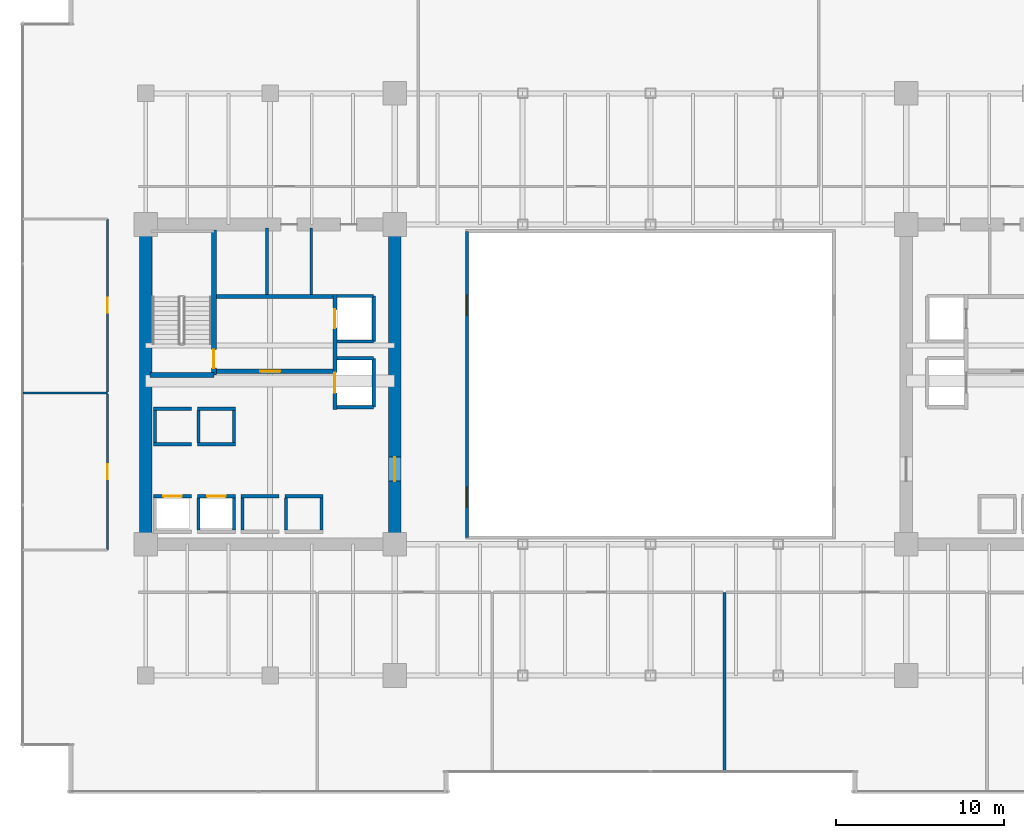
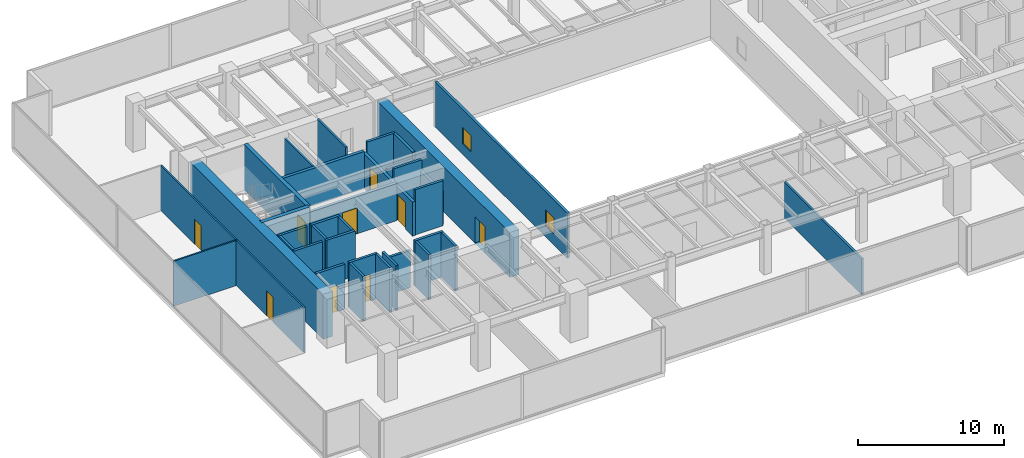
# One storey, part 29 of 35: 36 walls, 9 doors, 2 windows, 11 openings.
"""IFC4 building model written with IfcOpenShell, lengths in metres."""

from ifc_helpers import new_model, si_unit, direction, frame, frame_2d, origin, place, context, subcontext, project, spatial, rectangle, extrude, source, transform, mapped, material, layer, layer_set, type_object, type_shapes, element, fill, save


model = new_model("IFC4")

# Units and contexts
model_context = context("Model", 3, precision=1e-05, world=origin(), true_north=direction((0.0, 1.0)))
body_context = subcontext(model_context, "Body", "Model", "MODEL_VIEW")
ifc_project = project(units=[si_unit("LENGTHUNIT", "METRE"), si_unit("AREAUNIT", "SQUARE_METRE"), si_unit("VOLUMEUNIT", "CUBIC_METRE"), si_unit("PLANEANGLEUNIT", "RADIAN"), si_unit("MASSUNIT", "GRAM", prefix="KILO")], contexts=[model_context])

# Site, building, storey
site_placement = place(None, origin())
site = spatial("IfcSite", under=ifc_project, at=site_placement, CompositionType="ELEMENT")
building_placement = place(site_placement, origin())
building = spatial("IfcBuilding", under=site, at=building_placement, Name="Haelvirn Gate Laboratories", CompositionType="ELEMENT")
storey_placement = place(building_placement, frame((0.0, 0.0, 86.699951171875)))
storey = spatial("IfcBuildingStorey", under=building, at=storey_placement, Name="L21", CompositionType="ELEMENT", Elevation=86.699951171875)

# Wall
ifc_material_1 = material(Name="Double-layer acoustic gypsum laboratory partition", Category="gypsum")
ifc_layer_1 = layer(ifc_material_1, 0.159912109375, Name="IW-ACOUST-160")
ifc_layer_set_1 = layer_set([ifc_layer_1], Name="Double-layer acoustic gypsum laboratory partition")
wall_type_1 = type_object("IfcWallType", Name="IW-ACOUST-160", PredefinedType="PARTITIONING", material=ifc_layer_set_1)
wall_1_placement = place(storey_placement, frame((41.800048828125, 1.31005859375, 0.0), z_axis=(0.0, 0.0, 1.0), x_axis=(0.0, 1.0, 0.0)))
element("IfcWall", 1, at=wall_1_placement, inside=storey, type_object=wall_type_1, Name="L21 Interior Wall IW-L21-SDIV-03", PredefinedType="PARTITIONING", context=body_context, shape_type="SweptSolid", body=[
    extrude(rectangle(XDim=10.6298828125, YDim=0.159912109375, at=frame_2d((5.31494140625, 0.0))), origin(), (0.0, 0.0, 1.0), 3.01513671875),
])

# Wall, openings, windows
ifc_material_2 = material(Name="Tempered fire-rated borosilicate glass & anodised aluminium", Category="aluminium")
ifc_layer_2 = layer(ifc_material_2, 0.195068359375, Name="IW-GLAZ-200")
ifc_layer_set_2 = layer_set([ifc_layer_2], Name="Tempered fire-rated borosilicate glass & anodised aluminium")
wall_type_2 = type_object("IfcWallType", Name="IW-GLAZ-200", PredefinedType="SOLIDWALL", material=ifc_layer_set_2)
wall_2_placement = place(storey_placement, frame((26.5, 15.199951171875, 0.0), z_axis=(0.0, 0.0, 1.0), x_axis=(0.0, 1.0, 0.0)))
wall_2 = element("IfcWall", 2, at=wall_2_placement, inside=storey, type_object=wall_type_2, Name="L21 Interior Wall IW-L21-ATRIUM-W", PredefinedType="SOLIDWALL", context=body_context, shape_type="SweptSolid", body=[
    extrude(rectangle(XDim=18.199951171875, YDim=0.195068359375, at=frame_2d((9.10009765625, 0.0))), origin(), (0.0, 0.0, 1.0), 3.780029296875),
])
opening_1_placement = place(wall_2_placement, frame((1.800048828125, 0.0, 0.89990234375)))
opening_1 = element("IfcOpeningElement", 3, at=opening_1_placement, cuts=wall_2, Name="Opening W6", PredefinedType="OPENING", context=body_context, shape_type="SweptSolid", body=[
    extrude(rectangle(XDim=1.199951171875, YDim=1.35009765625, at=frame_2d((0.60009765625, 0.675048828125))), frame((0.0, 0.107421875, 0.0), z_axis=(0.0, -1.0, 0.0), x_axis=(1.0, 0.0, 0.0)), (0.0, 0.0, 1.0), 0.215087890625),
])
opening_2_placement = place(wall_2_placement, frame((13.199951171875, 0.0, 0.89990234375)))
opening_2 = element("IfcOpeningElement", 4, at=opening_2_placement, cuts=wall_2, Name="Opening W6", PredefinedType="OPENING", context=body_context, shape_type="SweptSolid", body=[
    extrude(rectangle(XDim=1.199951171875, YDim=1.35009765625, at=frame_2d((0.60009765625, 0.675048828125))), frame((0.0, 0.107421875, 0.0), z_axis=(0.0, -1.0, 0.0), x_axis=(1.0, 0.0, 0.0)), (0.0, 0.0, 1.0), 0.215087890625),
])
ifc_material_3 = material(Name="Fire-rated EI 120 borosilicate atrium vision glazing", Category="glass")
window_type = type_object("IfcWindowType", Name="WN-ATR-1200", PartitioningType="SINGLE_PANEL", PredefinedType="WINDOW", material=ifc_material_3)
shared_shape_1 = source(origin(), body_context, "Body", "SweptSolid", [
    extrude(rectangle(XDim=1.199951171875, YDim=1.35009765625, at=frame_2d((0.60009765625, 0.675048828125))), frame((0.0, 0.030029296875, 0.0), z_axis=(0.0, -1.0, 0.0), x_axis=(1.0, 0.0, 0.0)), (0.0, 0.0, 1.0), 0.06005859375),
])
type_shapes(window_type, [shared_shape_1])
window_1_placement = place(opening_1_placement, origin())
window_1 = element("IfcWindow", 5, at=window_1_placement, inside=storey, type_object=window_type, Name="L21 Atrium Observation Window 1", OverallHeight=1.35009765625, OverallWidth=1.199951171875, PartitioningType="SINGLE_PANEL", PredefinedType="WINDOW", context=body_context, shape_type="MappedRepresentation", body=[
    mapped(shared_shape_1, transform((0.0, 0.0, 0.0), scale=1.0)),
])
fill(opening_1, window_1)
window_2_placement = place(opening_2_placement, origin())
window_2 = element("IfcWindow", 6, at=window_2_placement, inside=storey, type_object=window_type, Name="L21 Atrium Observation Window 2", OverallHeight=1.35009765625, OverallWidth=1.199951171875, PartitioningType="SINGLE_PANEL", PredefinedType="WINDOW", context=body_context, shape_type="MappedRepresentation", body=[
    mapped(shared_shape_1, transform((0.0, 0.0, 0.0), scale=1.0)),
])
fill(opening_2, window_2)

# Wall, opening, door
ifc_material_4 = material(Name="Lightweight acoustic gypsum board partition", Category="gypsum")
ifc_layer_3 = layer(ifc_material_4, 0.1201171875, Name="IW-PART-120")
ifc_layer_set_3 = layer_set([ifc_layer_3], Name="Lightweight acoustic gypsum board partition")
wall_type_3 = type_object("IfcWallType", Name="IW-PART-120", PredefinedType="PARTITIONING", material=ifc_layer_set_3)
wall_3_placement = place(storey_placement, frame((5.1298828125, 14.465087890625, 0.0), z_axis=(0.0, 0.0, 1.0), x_axis=(0.0, 1.0, 0.0)))
wall_3 = element("IfcWall", 7, at=wall_3_placement, inside=storey, type_object=wall_type_3, Name="L21 Interior Wall IW-L21-WPASS-01", PredefinedType="PARTITIONING", context=body_context, shape_type="SweptSolid", body=[
    extrude(rectangle(XDim=9.27490234375, YDim=0.1201171875, at=frame_2d((4.637451171875, 0.0))), origin(), (0.0, 0.0, 1.0), 3.780029296875),
])
opening_3_placement = place(wall_3_placement, frame((4.1875, 0.0, 0.0)))
opening_3 = element("IfcOpeningElement", 8, at=opening_3_placement, cuts=wall_3, Name="Opening D4", PredefinedType="OPENING", context=body_context, shape_type="SweptSolid", body=[
    extrude(rectangle(XDim=0.89990234375, YDim=2.10009765625, at=frame_2d((0.449951171875, 1.050048828125))), frame((0.0, 0.070068359375, 0.0), z_axis=(0.0, -1.0, 0.0), x_axis=(1.0, 0.0, 0.0)), (0.0, 0.0, 1.0), 0.14013671875),
])
ifc_material_5 = material(Name="Glazed aluminium-framed write-up door", Category="aluminium")
door_type_1 = type_object("IfcDoorType", Name="DR-OFF-900", OperationType="NOTDEFINED", PredefinedType="DOOR", material=ifc_material_5)
shared_shape_2 = source(origin(), body_context, "Body", "SweptSolid", [
    extrude(rectangle(XDim=0.89990234375, YDim=2.10009765625, at=frame_2d((0.449951171875, 1.050048828125))), frame((0.0, 0.02490234375, 0.0), z_axis=(0.0, -1.0, 0.0), x_axis=(1.0, 0.0, 0.0)), (0.0, 0.0, 1.0), 0.050048828125),
])
type_shapes(door_type_1, [shared_shape_2])
door_1_placement = place(opening_3_placement, origin())
door_1 = element("IfcDoor", 9, at=door_1_placement, inside=storey, type_object=door_type_1, Name="L21 Proteomics Mass-Spec Laboratory Door W1", OperationType="SINGLE_SWING_LEFT", OverallHeight=2.10009765625, OverallWidth=0.89990234375, PredefinedType="DOOR", context=body_context, shape_type="MappedRepresentation", body=[
    mapped(shared_shape_2, transform((0.0, 0.0, 0.0), scale=1.0)),
])
fill(opening_3, door_1)

# Wall
wall_4_placement = place(storey_placement, frame((0.110107421875, 23.800048828125, 0.0), z_axis=(0.0, 0.0, 1.0), x_axis=(1.0, 0.0, 0.0)))
element("IfcWall", 10, at=wall_4_placement, inside=storey, type_object=wall_type_3, Name="L21 Interior Wall IW-L21-WDIV-01", PredefinedType="PARTITIONING", context=body_context, shape_type="SweptSolid", body=[
    extrude(rectangle(XDim=5.019775390625, YDim=0.1201171875, at=frame_2d((2.509765625, 0.0))), origin(), (0.0, 0.0, 1.0), 3.780029296875),
])

# Wall, opening, door
wall_5_placement = place(storey_placement, frame((5.1298828125, 23.860107421875, 0.0), z_axis=(0.0, 0.0, 1.0), x_axis=(0.0, 1.0, 0.0)))
wall_5 = element("IfcWall", 11, at=wall_5_placement, inside=storey, type_object=wall_type_3, Name="L21 Interior Wall IW-L21-WPASS-02", PredefinedType="PARTITIONING", context=body_context, shape_type="SweptSolid", body=[
    extrude(rectangle(XDim=10.27490234375, YDim=0.1201171875, at=frame_2d((5.137451171875, 0.0))), origin(), (0.0, 0.0, 1.0), 3.780029296875),
])
opening_4_placement = place(wall_5_placement, frame((4.6875, 0.0, 0.0)))
opening_4 = element("IfcOpeningElement", 12, at=opening_4_placement, cuts=wall_5, Name="Opening D4", PredefinedType="OPENING", context=body_context, shape_type="SweptSolid", body=[
    extrude(rectangle(XDim=0.89990234375, YDim=2.10009765625, at=frame_2d((0.449951171875, 1.050048828125))), frame((0.0, 0.070068359375, 0.0), z_axis=(0.0, -1.0, 0.0), x_axis=(1.0, 0.0, 0.0)), (0.0, 0.0, 1.0), 0.14013671875),
])
door_2_placement = place(opening_4_placement, origin())
door_2 = element("IfcDoor", 13, at=door_2_placement, inside=storey, type_object=door_type_1, Name="L21 Chemical Synthesis Laboratory Door W2", OperationType="SINGLE_SWING_RIGHT", OverallHeight=2.10009765625, OverallWidth=0.89990234375, PredefinedType="DOOR", context=body_context, shape_type="MappedRepresentation", body=[
    mapped(shared_shape_2, transform((0.0, 0.0, 0.0), scale=1.0)),
])
fill(opening_4, door_2)

# Walls
ifc_material_6 = material(Name="Cement-board restroom plumbing chase wall", Category="gypsum")
ifc_layer_4 = layer(ifc_material_6, 0.155029296875, Name="IW-PLUMB-160")
ifc_layer_set_4 = layer_set([ifc_layer_4], Name="Cement-board restroom plumbing chase wall")
wall_type_4 = type_object("IfcWallType", Name="IW-PLUMB-160", PredefinedType="PLUMBINGWALL", material=ifc_layer_set_4)
wall_6_placement = place(storey_placement, frame((14.610107421875, 29.64990234375, 0.0), z_axis=(0.0, 0.0, 1.0), x_axis=(0.0, 1.0, 0.0)))
element("IfcWall", 14, at=wall_6_placement, inside=storey, type_object=wall_type_4, Name="L21 Interior Wall IW-L21-W-CDIV-0", PredefinedType="PLUMBINGWALL", context=body_context, shape_type="SweptSolid", body=[
    extrude(rectangle(XDim=3.93017578125, YDim=0.155029296875, at=frame_2d((1.965087890625, 0.0))), origin(), (0.0, 0.0, 1.0), 3.114990234375),
])
wall_7_placement = place(storey_placement, frame((17.239990234375, 29.64990234375, 0.0), z_axis=(0.0, 0.0, 1.0), x_axis=(0.0, 1.0, 0.0)))
element("IfcWall", 15, at=wall_7_placement, inside=storey, type_object=wall_type_4, Name="L21 Interior Wall IW-L21-W-CDIV-1", PredefinedType="PLUMBINGWALL", context=body_context, shape_type="SweptSolid", body=[
    extrude(rectangle(XDim=3.93017578125, YDim=0.155029296875, at=frame_2d((1.965087890625, 0.0))), origin(), (0.0, 0.0, 1.0), 3.780029296875),
])
ifc_material_7 = material(Name="Concrete C40/50", Category="concrete")
ifc_layer_5 = layer(ifc_material_7, 0.179931640625, Name="IW-SHAFT-180")
ifc_layer_set_5 = layer_set([ifc_layer_5], Name="Concrete C40/50")
wall_type_5 = type_object("IfcWallType", Name="IW-SHAFT-180", PredefinedType="SOLIDWALL", material=ifc_layer_set_5)
for number, where, z_axis, x_axis, name in (
    (16, (10.550048828125, 15.64990234375, 0.0), (0.0, 0.0, 1.0), (0.0, 1.0, 0.0), "L21 Interior Wall IW-L21-PL2-SD"),
    (17, (12.64990234375, 15.64990234375, 0.0), (0.0, 0.0, 1.0), (0.0, 1.0, 0.0), "L21 Interior Wall IW-L21-PL2-SDE"),
    (18, (13.14990234375, 15.64990234375, 0.0), (0.0, 0.0, 1.0), (0.0, 1.0, 0.0), "L21 Interior Wall IW-L21-PL5-SD"),
    (19, (15.75, 15.64990234375, 0.0), (0.0, 0.0, 1.0), (0.0, 1.0, 0.0), "L21 Interior Wall IW-L21-PL6-SD"),
    (20, (17.85009765625, 15.64990234375, 0.0), (0.0, 0.0, 1.0), (0.0, 1.0, 0.0), "L21 Interior Wall IW-L21-PL6-SDE"),
):
    element("IfcWall", number, at=place(storey_placement, frame(where, z_axis=z_axis, x_axis=x_axis)), inside=storey, type_object=wall_type_5, Name=name, PredefinedType="SOLIDWALL", context=body_context, shape_type="SweptSolid", body=[
        extrude(rectangle(XDim=1.900146484375, YDim=0.179931640625, at=frame_2d((0.9501953125, 0.0))), origin(), (0.0, 0.0, 1.0), 3.780029296875),
    ])
for number, where, z_axis, x_axis, name in (
    (21, (7.949951171875, 20.85009765625, 0.0), (0.0, 0.0, 1.0), (0.0, 1.0, 0.0), "L21 Interior Wall IW-L21-PL9-SD"),
    (22, (10.550048828125, 20.85009765625, 0.0), (0.0, 0.0, 1.0), (0.0, 1.0, 0.0), "L21 Interior Wall IW-L21-PL10-SD"),
    (23, (12.64990234375, 20.85009765625, 0.0), (0.0, 0.0, 1.0), (0.0, 1.0, 0.0), "L21 Interior Wall IW-L21-PL10-SDE"),
):
    element("IfcWall", number, at=place(storey_placement, frame(where, z_axis=z_axis, x_axis=x_axis)), inside=storey, type_object=wall_type_5, Name=name, PredefinedType="SOLIDWALL", context=body_context, shape_type="SweptSolid", body=[
        extrude(rectangle(XDim=1.89990234375, YDim=0.179931640625, at=frame_2d((0.949951171875, 0.0))), origin(), (0.0, 0.0, 1.0), 3.780029296875),
    ])

# Wall, opening, door
ifc_layer_6 = layer(ifc_material_7, 0.199951171875, Name="IW-SHAFT-200")
ifc_layer_set_6 = layer_set([ifc_layer_6], Name="Concrete C40/50")
wall_type_6 = type_object("IfcWallType", Name="IW-SHAFT-200", PredefinedType="SOLIDWALL", material=ifc_layer_set_6)
wall_8_placement = place(storey_placement, frame((7.8701171875, 17.64990234375, 0.0), z_axis=(0.0, 0.0, 1.0), x_axis=(1.0, 0.0, 0.0)))
wall_8 = element("IfcWall", 24, at=wall_8_placement, inside=storey, type_object=wall_type_6, Name="L21 Interior Wall IW-L21-PL1-FR", PredefinedType="SOLIDWALL", context=body_context, shape_type="SweptSolid", body=[
    extrude(rectangle(XDim=2.259765625, YDim=0.199951171875, at=frame_2d((1.1298828125, 0.0))), origin(), (0.0, 0.0, 1.0), 3.780029296875),
])
opening_5_placement = place(wall_8_placement, frame((0.580078125, 0.0, 0.0)))
opening_5 = element("IfcOpeningElement", 25, at=opening_5_placement, cuts=wall_8, Name="Opening LD2", PredefinedType="OPENING", context=body_context, shape_type="SweptSolid", body=[
    extrude(rectangle(XDim=1.10009765625, YDim=2.219970703125, at=frame_2d((0.550048828125, 1.10986328125))), frame((0.0, 0.10986328125, 0.0), z_axis=(0.0, -1.0, 0.0), x_axis=(1.0, 0.0, 0.0)), (0.0, 0.0, 1.0), 0.219970703125),
])
ifc_material_8 = material(Name="Bronze stainless 316L sliding lift landing door")
door_type_2 = type_object("IfcDoorType", Name="DR-LD-1100", OperationType="NOTDEFINED", PredefinedType="USERDEFINED", material=ifc_material_8)
shared_shape_3 = source(origin(), body_context, "Body", "SweptSolid", [
    extrude(rectangle(XDim=1.10009765625, YDim=2.219970703125, at=frame_2d((0.550048828125, 1.10986328125))), frame((0.0, 0.02490234375, 0.0), z_axis=(0.0, -1.0, 0.0), x_axis=(1.0, 0.0, 0.0)), (0.0, 0.0, 1.0), 0.050048828125),
])
type_shapes(door_type_2, [shared_shape_3])
door_3_placement = place(opening_5_placement, origin())
door_3 = element("IfcDoor", 26, at=door_3_placement, inside=storey, type_object=door_type_2, Name="L21 Passenger Lift PL1 Landing Door", ObjectType="LANDING_DOOR", OperationType="SLIDING_TO_LEFT", OverallHeight=2.219970703125, OverallWidth=1.10009765625, PredefinedType="USERDEFINED", context=body_context, shape_type="MappedRepresentation", body=[
    mapped(shared_shape_3, transform((0.0, 0.0, 0.0), scale=1.0)),
])
fill(opening_5, door_3)

wall_9_placement = place(storey_placement, frame((10.469970703125, 17.64990234375, 0.0), z_axis=(0.0, 0.0, 1.0), x_axis=(1.0, 0.0, 0.0)))
wall_9 = element("IfcWall", 27, at=wall_9_placement, inside=storey, type_object=wall_type_6, Name="L21 Interior Wall IW-L21-PL2-FR", PredefinedType="SOLIDWALL", context=body_context, shape_type="SweptSolid", body=[
    extrude(rectangle(XDim=2.260009765625, YDim=0.199951171875, at=frame_2d((1.1298828125, 0.0))), origin(), (0.0, 0.0, 1.0), 3.780029296875),
])
opening_6_placement = place(wall_9_placement, frame((0.580078125, 0.0, 0.0)))
opening_6 = element("IfcOpeningElement", 28, at=opening_6_placement, cuts=wall_9, Name="Opening LD2", PredefinedType="OPENING", context=body_context, shape_type="SweptSolid", body=[
    extrude(rectangle(XDim=1.10009765625, YDim=2.219970703125, at=frame_2d((0.550048828125, 1.10986328125))), frame((0.0, 0.10986328125, 0.0), z_axis=(0.0, -1.0, 0.0), x_axis=(1.0, 0.0, 0.0)), (0.0, 0.0, 1.0), 0.219970703125),
])
door_4_placement = place(opening_6_placement, origin())
door_4 = element("IfcDoor", 29, at=door_4_placement, inside=storey, type_object=door_type_2, Name="L21 Passenger Lift PL2 Landing Door", ObjectType="LANDING_DOOR", OperationType="SLIDING_TO_RIGHT", OverallHeight=2.219970703125, OverallWidth=1.10009765625, PredefinedType="USERDEFINED", context=body_context, shape_type="MappedRepresentation", body=[
    mapped(shared_shape_3, transform((0.0, 0.0, 0.0), scale=1.0)),
])
fill(opening_6, door_4)

# Walls
wall_10_placement = place(storey_placement, frame((13.070068359375, 17.64990234375, 0.0), z_axis=(0.0, 0.0, 1.0), x_axis=(1.0, 0.0, 0.0)))
element("IfcWall", 30, at=wall_10_placement, inside=storey, type_object=wall_type_6, Name="L21 Interior Wall IW-L21-PL5-FR", PredefinedType="SOLIDWALL", context=body_context, shape_type="SweptSolid", body=[
    extrude(rectangle(XDim=2.260009765625, YDim=0.199951171875, at=frame_2d((1.1298828125, 0.0))), origin(), (0.0, 0.0, 1.0), 3.114990234375),
])
wall_11_placement = place(storey_placement, frame((15.669921875, 17.64990234375, 0.0), z_axis=(0.0, 0.0, 1.0), x_axis=(1.0, 0.0, 0.0)))
element("IfcWall", 31, at=wall_11_placement, inside=storey, type_object=wall_type_6, Name="L21 Interior Wall IW-L21-PL6-FR", PredefinedType="SOLIDWALL", context=body_context, shape_type="SweptSolid", body=[
    extrude(rectangle(XDim=2.260009765625, YDim=0.199951171875, at=frame_2d((1.1298828125, 0.0))), origin(), (0.0, 0.0, 1.0), 3.780029296875),
])
for number, where, z_axis, x_axis, name in (
    (32, (7.8701171875, 20.75, 0.0), (0.0, 0.0, 1.0), (1.0, 0.0, 0.0), "L21 Interior Wall IW-L21-PL9-FR"),
    (33, (7.8701171875, 22.85009765625, 0.0), (0.0, 0.0, 1.0), (1.0, 0.0, 0.0), "L21 Interior Wall IW-L21-PL9-BK"),
):
    element("IfcWall", number, at=place(storey_placement, frame(where, z_axis=z_axis, x_axis=x_axis)), inside=storey, type_object=wall_type_6, Name=name, PredefinedType="SOLIDWALL", context=body_context, shape_type="SweptSolid", body=[
        extrude(rectangle(XDim=2.259765625, YDim=0.199951171875, at=frame_2d((1.1298828125, 0.0))), origin(), (0.0, 0.0, 1.0), 3.780029296875),
    ])
for number, where, z_axis, x_axis, name in (
    (34, (10.469970703125, 20.75, 0.0), (0.0, 0.0, 1.0), (1.0, 0.0, 0.0), "L21 Interior Wall IW-L21-PL10-FR"),
    (35, (10.469970703125, 22.85009765625, 0.0), (0.0, 0.0, 1.0), (1.0, 0.0, 0.0), "L21 Interior Wall IW-L21-PL10-BK"),
):
    element("IfcWall", number, at=place(storey_placement, frame(where, z_axis=z_axis, x_axis=x_axis)), inside=storey, type_object=wall_type_6, Name=name, PredefinedType="SOLIDWALL", context=body_context, shape_type="SweptSolid", body=[
        extrude(rectangle(XDim=2.260009765625, YDim=0.199951171875, at=frame_2d((1.1298828125, 0.0))), origin(), (0.0, 0.0, 1.0), 3.780029296875),
    ])
wall_12_placement = place(storey_placement, frame((20.949951171875, 26.85009765625, 0.0), z_axis=(0.0, 0.0, 1.0), x_axis=(0.0, 1.0, 0.0)))
element("IfcWall", 36, at=wall_12_placement, inside=storey, type_object=wall_type_6, Name="L21 Interior Wall IW-L21-FL1-BK", PredefinedType="SOLIDWALL", context=body_context, shape_type="SweptSolid", body=[
    extrude(rectangle(XDim=2.699951171875, YDim=0.199951171875, at=frame_2d((1.35009765625, 0.0))), origin(), (0.0, 0.0, 1.0), 3.780029296875),
])
wall_13_placement = place(storey_placement, frame((18.760009765625, 29.550048828125, 0.0), z_axis=(0.0, 0.0, 1.0), x_axis=(1.0, 0.0, 0.0)))
element("IfcWall", 37, at=wall_13_placement, inside=storey, type_object=wall_type_6, Name="L21 Interior Wall IW-L21-FL1-N", PredefinedType="SOLIDWALL", context=body_context, shape_type="SweptSolid", body=[
    extrude(rectangle(XDim=2.18994140625, YDim=0.199951171875, at=frame_2d((1.094970703125, 0.0))), origin(), (0.0, 0.0, 1.0), 3.780029296875),
])
wall_14_placement = place(storey_placement, frame((18.760009765625, 26.85009765625, 0.0), z_axis=(0.0, 0.0, 1.0), x_axis=(1.0, 0.0, 0.0)))
element("IfcWall", 38, at=wall_14_placement, inside=storey, type_object=wall_type_6, Name="L21 Interior Wall IW-L21-FL1-S", PredefinedType="SOLIDWALL", context=body_context, shape_type="SweptSolid", body=[
    extrude(rectangle(XDim=2.18994140625, YDim=0.199951171875, at=frame_2d((1.094970703125, 0.0))), origin(), (0.0, 0.0, 1.0), 3.177001953125),
])
wall_15_placement = place(storey_placement, frame((20.949951171875, 22.949951171875, 0.0), z_axis=(0.0, 0.0, 1.0), x_axis=(0.0, 1.0, 0.0)))
element("IfcWall", 39, at=wall_15_placement, inside=storey, type_object=wall_type_6, Name="L21 Interior Wall IW-L21-SL1-BK", PredefinedType="SOLIDWALL", context=body_context, shape_type="SweptSolid", body=[
    extrude(rectangle(XDim=2.900146484375, YDim=0.199951171875, at=frame_2d((1.4501953125, 0.0))), origin(), (0.0, 0.0, 1.0), 2.864990234375),
])
for number, where, z_axis, x_axis, name in (
    (40, (18.760009765625, 25.85009765625, 0.0), (0.0, 0.0, 1.0), (1.0, 0.0, 0.0), "L21 Interior Wall IW-L21-SL1-N"),
    (41, (18.760009765625, 22.949951171875, 0.0), (0.0, 0.0, 1.0), (1.0, 0.0, 0.0), "L21 Interior Wall IW-L21-SL1-S"),
):
    element("IfcWall", number, at=place(storey_placement, frame(where, z_axis=z_axis, x_axis=x_axis)), inside=storey, type_object=wall_type_6, Name=name, PredefinedType="SOLIDWALL", context=body_context, shape_type="SweptSolid", body=[
        extrude(rectangle(XDim=2.18994140625, YDim=0.199951171875, at=frame_2d((1.094970703125, 0.0))), origin(), (0.0, 0.0, 1.0), 3.780029296875),
    ])

# Wall, opening, door
ifc_layer_7 = layer(ifc_material_7, 0.239990234375, Name="IW-SHAFT-240")
ifc_layer_set_7 = layer_set([ifc_layer_7], Name="Concrete C40/50")
wall_type_7 = type_object("IfcWallType", Name="IW-SHAFT-240", PredefinedType="SOLIDWALL", material=ifc_layer_set_7)
wall_16_placement = place(storey_placement, frame((11.60009765625, 25.080078125, 0.0), z_axis=(0.0, 0.0, 1.0), x_axis=(1.0, 0.0, 0.0)))
wall_16 = element("IfcWall", 42, at=wall_16_placement, inside=storey, type_object=wall_type_7, Name="L21 Interior Wall IW-L21-W-FF-S", PredefinedType="SOLIDWALL", context=body_context, shape_type="SweptSolid", body=[
    extrude(rectangle(XDim=6.919921875, YDim=0.239990234375, at=frame_2d((3.4599609375, 0.0))), origin(), (0.0, 0.0, 1.0), 3.114990234375),
])
opening_7_placement = place(wall_16_placement, frame((2.60009765625, 0.0, 0.0)))
opening_7 = element("IfcOpeningElement", 43, at=opening_7_placement, cuts=wall_16, Name="Opening FD2", PredefinedType="OPENING", context=body_context, shape_type="SweptSolid", body=[
    extrude(rectangle(XDim=1.199951171875, YDim=2.159912109375, at=frame_2d((0.60009765625, 1.080078125))), frame((0.0, 0.1298828125, 0.0), z_axis=(0.0, -1.0, 0.0), x_axis=(1.0, 0.0, 0.0)), (0.0, 0.0, 1.0), 0.260009765625),
])
ifc_material_9 = material(Name="Fire-rated steel SM355 compartment door", Category="steel")
door_type_3 = type_object("IfcDoorType", Name="DR-FD-1200", OperationType="NOTDEFINED", PredefinedType="DOOR", material=ifc_material_9)
shared_shape_4 = source(origin(), body_context, "Body", "SweptSolid", [
    extrude(rectangle(XDim=1.199951171875, YDim=2.159912109375, at=frame_2d((0.60009765625, 1.080078125))), frame((0.0, 0.02490234375, 0.0), z_axis=(0.0, -1.0, 0.0), x_axis=(1.0, 0.0, 0.0)), (0.0, 0.0, 1.0), 0.050048828125),
])
type_shapes(door_type_3, [shared_shape_4])
door_5_placement = place(opening_7_placement, origin())
door_5 = element("IfcDoor", 44, at=door_5_placement, inside=storey, type_object=door_type_3, Name="L21 West Firefighting Lobby Door", OperationType="SINGLE_SWING_RIGHT", OverallHeight=2.159912109375, OverallWidth=1.199951171875, PredefinedType="DOOR", context=body_context, shape_type="MappedRepresentation", body=[
    mapped(shared_shape_4, transform((0.0, 0.0, 0.0), scale=1.0)),
])
fill(opening_7, door_5)

# Wall
wall_17_placement = place(storey_placement, frame((11.60009765625, 29.52001953125, 0.0), z_axis=(0.0, 0.0, 1.0), x_axis=(1.0, 0.0, 0.0)))
element("IfcWall", 45, at=wall_17_placement, inside=storey, type_object=wall_type_7, Name="L21 Interior Wall IW-L21-W-FF-N", PredefinedType="SOLIDWALL", context=body_context, shape_type="SweptSolid", body=[
    extrude(rectangle(XDim=6.919921875, YDim=0.239990234375, at=frame_2d((3.4599609375, 0.0))), origin(), (0.0, 0.0, 1.0), 3.114990234375),
])

# Wall, openings, doors
wall_18_placement = place(storey_placement, frame((18.639892578125, 22.800048828125, 0.0), z_axis=(0.0, 0.0, 1.0), x_axis=(0.0, 1.0, 0.0)))
wall_18 = element("IfcWall", 46, at=wall_18_placement, inside=storey, type_object=wall_type_7, Name="L21 Interior Wall IW-L21-W-FF-E", PredefinedType="SOLIDWALL", context=body_context, shape_type="SweptSolid", body=[
    extrude(rectangle(XDim=6.849853515625, YDim=0.239990234375, at=frame_2d((3.4248046875, 0.0))), origin(), (0.0, 0.0, 1.0), 2.864990234375),
])
opening_8_placement = place(wall_18_placement, frame((4.85009765625, 0.0, 0.0)))
opening_8 = element("IfcOpeningElement", 47, at=opening_8_placement, cuts=wall_18, Name="Opening LD2", PredefinedType="OPENING", context=body_context, shape_type="SweptSolid", body=[
    extrude(rectangle(XDim=1.10009765625, YDim=2.219970703125, at=frame_2d((0.550048828125, 1.10986328125))), frame((0.0, 0.1298828125, 0.0), z_axis=(0.0, -1.0, 0.0), x_axis=(1.0, 0.0, 0.0)), (0.0, 0.0, 1.0), 0.260009765625),
])
opening_9_placement = place(wall_18_placement, frame((1.0, 0.0, 0.0)))
opening_9 = element("IfcOpeningElement", 48, at=opening_9_placement, cuts=wall_18, Name="Opening LD1", PredefinedType="OPENING", context=body_context, shape_type="SweptSolid", body=[
    extrude(rectangle(XDim=1.199951171875, YDim=2.219970703125, at=frame_2d((0.60009765625, 1.10986328125))), frame((0.0, 0.1298828125, 0.0), z_axis=(0.0, -1.0, 0.0), x_axis=(1.0, 0.0, 0.0)), (0.0, 0.0, 1.0), 0.260009765625),
])
door_6_placement = place(opening_8_placement, origin())
door_6 = element("IfcDoor", 49, at=door_6_placement, inside=storey, type_object=door_type_2, Name="L21 Firefighting Lift FL1 Landing Door", ObjectType="LANDING_DOOR", OperationType="SLIDING_TO_LEFT", OverallHeight=2.219970703125, OverallWidth=1.10009765625, PredefinedType="USERDEFINED", context=body_context, shape_type="MappedRepresentation", body=[
    mapped(shared_shape_3, transform((0.0, 0.0, 0.0), scale=1.0)),
])
fill(opening_8, door_6)
ifc_material_10 = material(Name="Stainless steel 316L sliding goods landing door", Category="steel")
door_type_4 = type_object("IfcDoorType", Name="DR-LD-1200", OperationType="NOTDEFINED", PredefinedType="USERDEFINED", material=ifc_material_10)
shared_shape_5 = source(origin(), body_context, "Body", "SweptSolid", [
    extrude(rectangle(XDim=1.199951171875, YDim=2.219970703125, at=frame_2d((0.60009765625, 1.10986328125))), frame((0.0, 0.02490234375, 0.0), z_axis=(0.0, -1.0, 0.0), x_axis=(1.0, 0.0, 0.0)), (0.0, 0.0, 1.0), 0.050048828125),
])
type_shapes(door_type_4, [shared_shape_5])
door_7_placement = place(opening_9_placement, origin())
door_7 = element("IfcDoor", 50, at=door_7_placement, inside=storey, type_object=door_type_4, Name="L21 Service Lift SL1 Landing Door", ObjectType="LANDING_DOOR", OperationType="SLIDING_TO_RIGHT", OverallHeight=2.219970703125, OverallWidth=1.199951171875, PredefinedType="USERDEFINED", context=body_context, shape_type="MappedRepresentation", body=[
    mapped(shared_shape_5, transform((0.0, 0.0, 0.0), scale=1.0)),
])
fill(opening_9, door_7)

# Wall
ifc_material_11 = material(Name="Concrete C70/85", Category="concrete")
ifc_layer_8 = layer(ifc_material_11, 0.75, Name="SW-CORE-750")
ifc_layer_set_8 = layer_set([ifc_layer_8], Name="Concrete C70/85")
wall_type_8 = type_object("IfcWallType", Name="SW-CORE-750", PredefinedType="SHEAR", material=ifc_layer_set_8)
wall_19_placement = place(storey_placement, frame((7.39990234375, 15.175048828125, 0.0), z_axis=(0.0, 0.0, 1.0), x_axis=(0.0, 1.0, 0.0)))
element("IfcWall", 51, at=wall_19_placement, inside=storey, type_object=wall_type_8, Name="L21 W Core Shear Wall W", PredefinedType="SHEAR", context=body_context, shape_type="SweptSolid", body=[
    extrude(rectangle(XDim=18.25, YDim=0.75, at=frame_2d((9.125, 0.0))), origin(), (0.0, 0.0, 1.0), 3.780029296875),
])

# Wall, opening, door
wall_20_placement = place(storey_placement, frame((22.199951171875, 15.175048828125, 0.0), z_axis=(0.0, 0.0, 1.0), x_axis=(0.0, 1.0, 0.0)))
wall_20 = element("IfcWall", 52, at=wall_20_placement, inside=storey, type_object=wall_type_8, Name="L21 W Core Shear Wall E", PredefinedType="SHEAR", context=body_context, shape_type="SweptSolid", body=[
    extrude(rectangle(XDim=18.25, YDim=0.75, at=frame_2d((9.125, 0.0))), origin(), (0.0, 0.0, 1.0), 3.780029296875),
])
opening_10_placement = place(wall_20_placement, frame((3.375, 0.0, 0.0)))
opening_10 = element("IfcOpeningElement", 53, at=opening_10_placement, cuts=wall_20, Name="Opening FD1", PredefinedType="OPENING", context=body_context, shape_type="SweptSolid", body=[
    extrude(rectangle(XDim=1.419921875, YDim=2.199951171875, at=frame_2d((0.7099609375, 1.10009765625))), frame((0.0, 0.385009765625, 0.0), z_axis=(0.0, -1.0, 0.0), x_axis=(1.0, 0.0, 0.0)), (0.0, 0.0, 1.0), 0.77001953125),
])
ifc_material_12 = material(Name="Fire-rated double steel SM355 lobby door", Category="steel")
door_type_5 = type_object("IfcDoorType", Name="DR-FD-1400", OperationType="NOTDEFINED", PredefinedType="DOOR", material=ifc_material_12)
shared_shape_6 = source(origin(), body_context, "Body", "SweptSolid", [
    extrude(rectangle(XDim=1.419921875, YDim=2.199951171875, at=frame_2d((0.7099609375, 1.10009765625))), frame((0.0, 0.02490234375, 0.0), z_axis=(0.0, -1.0, 0.0), x_axis=(1.0, 0.0, 0.0)), (0.0, 0.0, 1.0), 0.050048828125),
])
type_shapes(door_type_5, [shared_shape_6])
door_8_placement = place(opening_10_placement, origin())
door_8 = element("IfcDoor", 54, at=door_8_placement, inside=storey, type_object=door_type_5, Name="L21 West Core Lift Lobby Fire Door", OperationType="DOUBLE_DOOR_SINGLE_SWING", OverallHeight=2.199951171875, OverallWidth=1.419921875, PredefinedType="DOOR", context=body_context, shape_type="MappedRepresentation", body=[
    mapped(shared_shape_6, transform((0.0, 0.0, 0.0), scale=1.0)),
])
fill(opening_10, door_8)

ifc_material_13 = material(Name="Concrete C50/60", Category="concrete")
ifc_layer_9 = layer(ifc_material_13, 0.300048828125, Name="SW-STAIR-300")
ifc_layer_set_9 = layer_set([ifc_layer_9], Name="Concrete C50/60")
wall_type_9 = type_object("IfcWallType", Name="SW-STAIR-300", PredefinedType="SHEAR", material=ifc_layer_set_9)
wall_21_placement = place(storey_placement, frame((11.449951171875, 24.85009765625, 0.0), z_axis=(0.0, 0.0, 1.0), x_axis=(0.0, 1.0, 0.0)))
wall_21 = element("IfcWall", 55, at=wall_21_placement, inside=storey, type_object=wall_type_9, Name="L21 W Core Stair Shaft Structural Wall IN", PredefinedType="SHEAR", context=body_context, shape_type="SweptSolid", body=[
    extrude(rectangle(XDim=8.6298828125, YDim=0.300048828125, at=frame_2d((4.31494140625, 0.0))), origin(), (0.0, 0.0, 1.0), 3.780029296875),
])
opening_11_placement = place(wall_21_placement, frame((0.419921875, 0.0, 0.0)))
opening_11 = element("IfcOpeningElement", 56, at=opening_11_placement, cuts=wall_21, Name="Opening FD3", PredefinedType="OPENING", context=body_context, shape_type="SweptSolid", body=[
    extrude(rectangle(XDim=1.10009765625, YDim=2.14990234375, at=frame_2d((0.550048828125, 1.074951171875))), frame((0.0, 0.16015625, 0.0), z_axis=(0.0, -1.0, 0.0), x_axis=(1.0, 0.0, 0.0)), (0.0, 0.0, 1.0), 0.320068359375),
])
ifc_material_14 = material(Name="Fire-rated steel SM355 escape stair door", Category="steel")
door_type_6 = type_object("IfcDoorType", Name="DR-FD-1100", OperationType="NOTDEFINED", PredefinedType="DOOR", material=ifc_material_14)
shared_shape_7 = source(origin(), body_context, "Body", "SweptSolid", [
    extrude(rectangle(XDim=1.10009765625, YDim=2.14990234375, at=frame_2d((0.550048828125, 1.074951171875))), frame((0.0, 0.02490234375, 0.0), z_axis=(0.0, -1.0, 0.0), x_axis=(1.0, 0.0, 0.0)), (0.0, 0.0, 1.0), 0.050048828125),
])
type_shapes(door_type_6, [shared_shape_7])
door_9_placement = place(opening_11_placement, origin())
door_9 = element("IfcDoor", 57, at=door_9_placement, inside=storey, type_object=door_type_6, Name="L21 Escape Stair ST1 Fire Door", OperationType="SINGLE_SWING_LEFT", OverallHeight=2.14990234375, OverallWidth=1.10009765625, PredefinedType="DOOR", context=body_context, shape_type="MappedRepresentation", body=[
    mapped(shared_shape_7, transform((0.0, 0.0, 0.0), scale=1.0)),
])
fill(opening_11, door_9)

# Wall
wall_22_placement = place(storey_placement, frame((7.64990234375, 24.85009765625, 0.0), z_axis=(0.0, 0.0, 1.0), x_axis=(1.0, 0.0, 0.0)))
element("IfcWall", 58, at=wall_22_placement, inside=storey, type_object=wall_type_9, Name="L21 W Core Stair Shaft Structural Wall S", PredefinedType="SHEAR", context=body_context, shape_type="SweptSolid", body=[
    extrude(rectangle(XDim=3.800048828125, YDim=0.300048828125, at=frame_2d((1.89990234375, 0.0))), origin(), (0.0, 0.0, 1.0), 3.780029296875),
])

save(model, "model.ifc")
